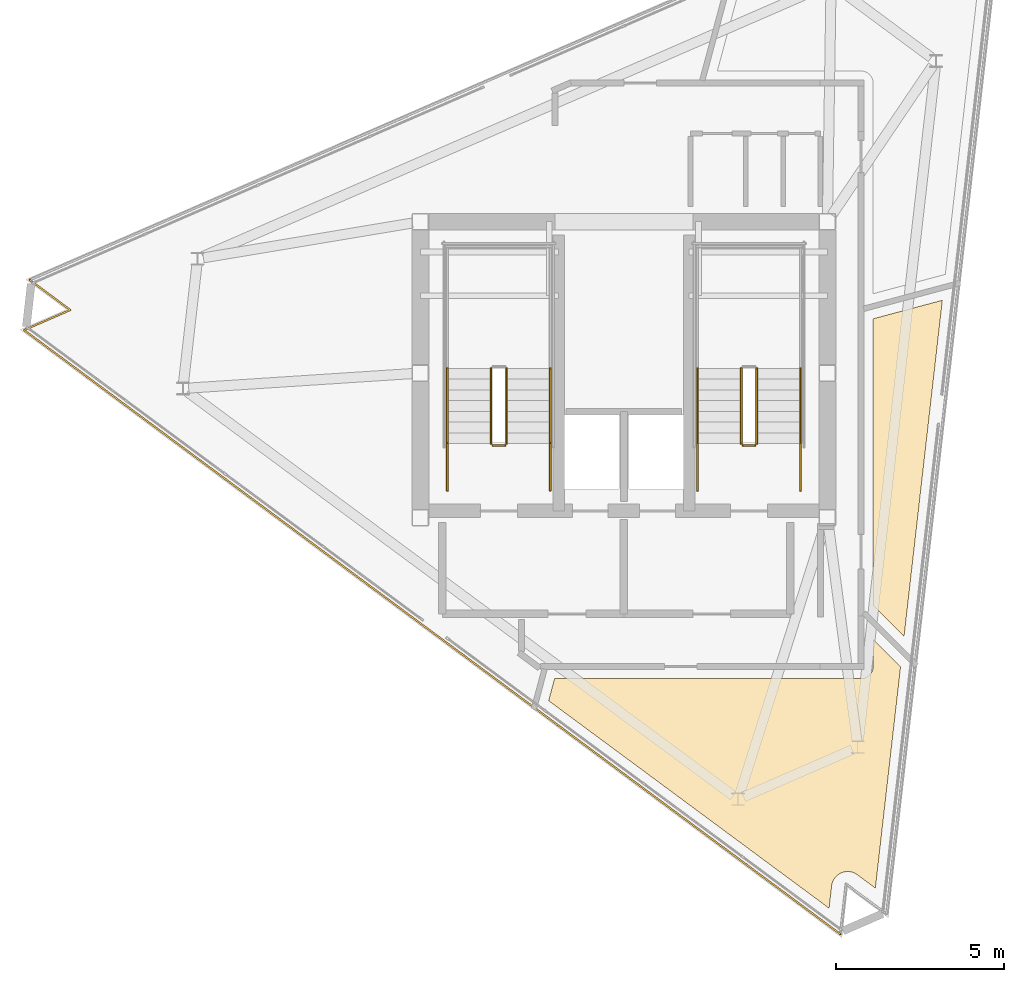
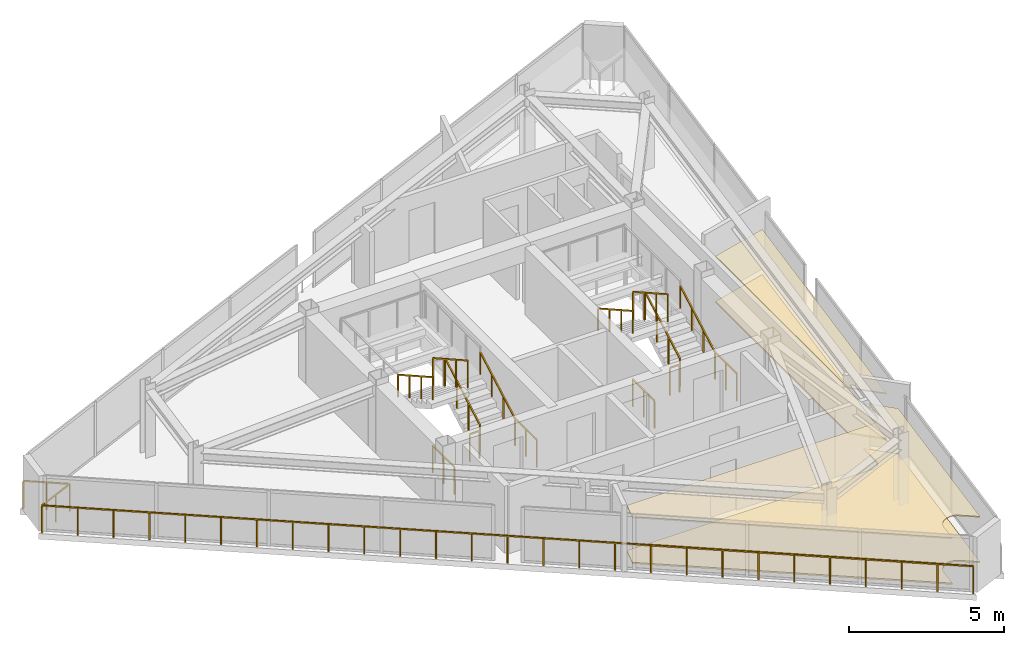
# One storey, part 8 of 9: 15 railings, 4 coverings.
"""IFC4 building model written with IfcOpenShell, lengths in metres."""

from ifc_helpers import new_model, si_unit, direction, frame, origin, origin_2d, place, context, subcontext, project, spatial, polyline, rectangle, outline, extrude, material, layer, layer_set, type_object, element, save


model = new_model("IFC4")

# Units and contexts
model_context = context("Model", 3, precision=1e-05, world=origin(), true_north=direction((0.0, 1.0)))
body_context = subcontext(model_context, "Body", "Model", "MODEL_VIEW")
ifc_project = project(units=[si_unit("LENGTHUNIT", "METRE"), si_unit("AREAUNIT", "SQUARE_METRE"), si_unit("VOLUMEUNIT", "CUBIC_METRE"), si_unit("PLANEANGLEUNIT", "RADIAN"), si_unit("MASSUNIT", "GRAM", prefix="KILO")], contexts=[model_context])

# Site, building, storey
site_placement = place(None, origin())
site = spatial("IfcSite", under=ifc_project, at=site_placement, CompositionType="ELEMENT")
building_placement = place(site_placement, origin())
building = spatial("IfcBuilding", under=site, at=building_placement, Name="Rocaltana Carrier Exchange", CompositionType="ELEMENT")
storey_placement = place(building_placement, frame((0.0, 0.0, 243.360107421875)))
storey = spatial("IfcBuildingStorey", under=building, at=storey_placement, Name="L77", CompositionType="ELEMENT", Elevation=243.360107421875)

# Coverings
ifc_material_1 = material(Name="Calcium Sulphate & Aluminium Pedestal", Category="aluminium")
ifc_layer_1 = layer(ifc_material_1, 0.06005859375)
ifc_layer_set_1 = layer_set([ifc_layer_1], Name="Calcium Sulphate & Aluminium Pedestal")
covering_type_1 = type_object("IfcCoveringType", Name="Anti-Static Raised Exchange Access Floor 60", PredefinedType="FLOORING", material=ifc_layer_set_1)
covering_1_placement = place(storey_placement, origin())
element("IfcCovering", 1, at=covering_1_placement, inside=storey, type_object=covering_type_1, Name="L77 Cloud Architecture Office Finish Floor", PredefinedType="FLOORING", context=body_context, shape_type="SweptSolid", body=[
    extrude(outline(polyline([(7.476318359375, -15.3134765625), (6.938720703125, -14.915771484375), (6.927490234375, -14.90771484375), (6.910888671875, -14.896484375), (6.88671875, -14.88232421875), (6.869140625, -14.873046875), (6.843994140625, -14.861083984375), (6.825439453125, -14.853515625), (6.799072265625, -14.84423828125), (6.780029296875, -14.838623046875), (6.7529296875, -14.83203125), (6.7333984375, -14.828369140625), (6.70556640625, -14.824462890625), (6.685791015625, -14.82275390625), (6.657958984375, -14.82177734375), (6.637939453125, -14.822021484375), (6.610107421875, -14.823486328125), (6.59033203125, -14.82568359375), (6.562744140625, -14.830322265625), (6.543212890625, -14.83447265625), (6.516357421875, -14.841552734375), (6.497314453125, -14.84765625), (6.47119140625, -14.857666015625), (6.452880859375, -14.865478515625), (6.427734375, -14.8779296875), (6.410400390625, -14.8876953125), (6.38671875, -14.902587890625), (6.370361328125, -14.913818359375), (6.348388671875, -14.930908203125), (6.333251953125, -14.944091796875), (6.31298828125, -14.963134765625), (6.29931640625, -14.9775390625), (6.281005859375, -14.998779296875), (6.268798828125, -15.014404296875), (6.252685546875, -15.037353515625), (6.2421875, -15.05419921875), (6.228515625, -15.07861328125), (6.219482421875, -15.096435546875), (6.208251953125, -15.121826171875), (6.201171875, -15.140625), (6.192626953125, -15.1669921875), (6.1875, -15.186279296875), (6.181640625, -15.213623046875), (6.17822265625, -15.2333984375), (6.176513671875, -15.247314453125), (6.1005859375, -15.91162109375), (-2.237548828125, -9.74169921875), (-2.060302734375, -9.080078125), (7.050048828125, -9.080078125), (7.063720703125, -9.07958984375), (7.071533203125, -9.079345703125), (7.098876953125, -9.07666015625), (7.106689453125, -9.075439453125), (7.133544921875, -9.070068359375), (7.141357421875, -9.068115234375), (7.16748046875, -9.060302734375), (7.1748046875, -9.0576171875), (7.2001953125, -9.047119140625), (7.20751953125, -9.043701171875), (7.231689453125, -9.03076171875), (7.23828125, -9.026611328125), (7.26123046875, -9.011474609375), (7.267578125, -9.006591796875), (7.288818359375, -8.9892578125), (7.294677734375, -8.98388671875), (7.31396484375, -8.964599609375), (7.3193359375, -8.958740234375), (7.336669921875, -8.9375), (7.34130859375, -8.93115234375), (7.356689453125, -8.908447265625), (7.360595703125, -8.901611328125), (7.373779296875, -8.87744140625), (7.376953125, -8.870361328125), (7.387451171875, -8.844970703125), (7.39013671875, -8.837646484375), (7.398193359375, -8.811279296875), (7.400146484375, -8.8037109375), (7.405517578125, -8.776611328125), (7.406494140625, -8.768798828125), (7.4091796875, -8.74169921875), (7.40966796875, -8.733642578125), (7.409912109375, -8.719970703125), (7.409912109375, -7.919189453125), (8.225830078125, -8.73486328125), (7.476318359375, -15.3134765625)])), origin(), (0.0, 0.0, 1.0), 0.059814453125),
])
covering_2_placement = place(storey_placement, origin())
element("IfcCovering", 2, at=covering_2_placement, inside=storey, type_object=covering_type_1, Name="L77 Optical Switching Laboratory Finish Floor", PredefinedType="FLOORING", context=body_context, shape_type="SweptSolid", body=[
    extrude(outline(polyline([(8.330078125, -7.82080078125), (7.409912109375, -6.90087890625), (7.409912109375, 1.61279296875), (9.467529296875, 2.1640625), (8.330078125, -7.82080078125)])), origin(), (0.0, 0.0, 1.0), 0.059814453125),
])
ifc_material_2 = material(Name="Mineral Fibre & Powder-Coated Aluminium", Category="aluminium")
ifc_layer_2 = layer(ifc_material_2, 0.044921875)
ifc_layer_set_2 = layer_set([ifc_layer_2], Name="Mineral Fibre & Powder-Coated Aluminium")
covering_type_2 = type_object("IfcCoveringType", Name="Micro-Perforated Acoustic Ceiling 45", PredefinedType="CEILING", material=ifc_layer_set_2)
covering_3_placement = place(storey_placement, frame((0.0, 0.0, 1.79296875)))
element("IfcCovering", 3, at=covering_3_placement, inside=storey, type_object=covering_type_2, Name="L77 Cloud Architecture Office Acoustic Ceiling", PredefinedType="CEILING", context=body_context, shape_type="SweptSolid", body=[
    extrude(outline(polyline([(7.476318359375, -15.3134765625), (6.938720703125, -14.915771484375), (6.927490234375, -14.90771484375), (6.910888671875, -14.896484375), (6.88671875, -14.88232421875), (6.869140625, -14.873046875), (6.843994140625, -14.861083984375), (6.825439453125, -14.853515625), (6.799072265625, -14.84423828125), (6.780029296875, -14.838623046875), (6.7529296875, -14.83203125), (6.7333984375, -14.828369140625), (6.70556640625, -14.824462890625), (6.685791015625, -14.82275390625), (6.657958984375, -14.82177734375), (6.637939453125, -14.822021484375), (6.610107421875, -14.823486328125), (6.59033203125, -14.82568359375), (6.562744140625, -14.830322265625), (6.543212890625, -14.83447265625), (6.516357421875, -14.841552734375), (6.497314453125, -14.84765625), (6.47119140625, -14.857666015625), (6.452880859375, -14.865478515625), (6.427734375, -14.8779296875), (6.410400390625, -14.8876953125), (6.38671875, -14.902587890625), (6.370361328125, -14.913818359375), (6.348388671875, -14.930908203125), (6.333251953125, -14.944091796875), (6.31298828125, -14.963134765625), (6.29931640625, -14.9775390625), (6.281005859375, -14.998779296875), (6.268798828125, -15.014404296875), (6.252685546875, -15.037353515625), (6.2421875, -15.05419921875), (6.228515625, -15.07861328125), (6.219482421875, -15.096435546875), (6.208251953125, -15.121826171875), (6.201171875, -15.140625), (6.192626953125, -15.1669921875), (6.1875, -15.186279296875), (6.181640625, -15.213623046875), (6.17822265625, -15.2333984375), (6.176513671875, -15.247314453125), (6.1005859375, -15.91162109375), (-2.237548828125, -9.74169921875), (-2.060302734375, -9.080078125), (7.050048828125, -9.080078125), (7.063720703125, -9.07958984375), (7.071533203125, -9.079345703125), (7.098876953125, -9.07666015625), (7.106689453125, -9.075439453125), (7.133544921875, -9.070068359375), (7.141357421875, -9.068115234375), (7.16748046875, -9.060302734375), (7.1748046875, -9.0576171875), (7.2001953125, -9.047119140625), (7.20751953125, -9.043701171875), (7.231689453125, -9.03076171875), (7.23828125, -9.026611328125), (7.26123046875, -9.011474609375), (7.267578125, -9.006591796875), (7.288818359375, -8.9892578125), (7.294677734375, -8.98388671875), (7.31396484375, -8.964599609375), (7.3193359375, -8.958740234375), (7.336669921875, -8.9375), (7.34130859375, -8.93115234375), (7.356689453125, -8.908447265625), (7.360595703125, -8.901611328125), (7.373779296875, -8.87744140625), (7.376953125, -8.870361328125), (7.387451171875, -8.844970703125), (7.39013671875, -8.837646484375), (7.398193359375, -8.811279296875), (7.400146484375, -8.8037109375), (7.405517578125, -8.776611328125), (7.406494140625, -8.768798828125), (7.4091796875, -8.74169921875), (7.40966796875, -8.733642578125), (7.409912109375, -8.719970703125), (7.409912109375, -7.919189453125), (8.225830078125, -8.73486328125), (7.476318359375, -15.3134765625)])), origin(), (0.0, 0.0, 1.0), 0.044921875),
])
covering_4_placement = place(storey_placement, frame((0.0, 0.0, 1.79296875)))
element("IfcCovering", 4, at=covering_4_placement, inside=storey, type_object=covering_type_2, Name="L77 Optical Switching Laboratory Acoustic Ceiling", PredefinedType="CEILING", context=body_context, shape_type="SweptSolid", body=[
    extrude(outline(polyline([(8.330078125, -7.82080078125), (7.409912109375, -6.90087890625), (7.409912109375, 1.61279296875), (9.467529296875, 2.1640625), (8.330078125, -7.82080078125)])), origin(), (0.0, 0.0, 1.0), 0.044921875),
])

# Railings
ifc_material_3 = material(Name="Brushed Architectural Stainless Tube", Category="steel")
ifc_layer_3 = layer(ifc_material_3, 0.048095703125)
ifc_layer_set_3 = layer_set([ifc_layer_3], Name="Brushed Architectural Stainless Tube")
railing_type_1 = type_object("IfcRailingType", Name="Stair Wall Handrail 920", PredefinedType="HANDRAIL", material=ifc_layer_set_3)
railing_1_placement = place(storey_placement, frame((-2.18994140625, -2.10009765625, 0.179931640625)))
element("IfcRailing", 5, at=railing_1_placement, inside=storey, type_object=railing_type_1, Name="L77 ST-1 stair handrail 1", PredefinedType="HANDRAIL", context=body_context, shape_type="SweptSolid", body=[
    extrude(rectangle(XDim=0.048095703125, YDim=0.048095703125, at=origin_2d()), frame((0.0, 0.0, 0.8759765625), z_axis=(0.0, 0.871573000172, 0.490265749743), x_axis=(-1.0, 0.0, 0.0)), (0.0, 0.0, 1.0), 2.570068359375),
    extrude(rectangle(XDim=0.0419921875, YDim=0.0419921875, at=origin_2d()), origin(), (0.0, 0.0, 1.0), 0.851806640625),
    extrude(rectangle(XDim=0.0419921875, YDim=0.0419921875, at=origin_2d()), frame((0.0, 0.74658203125, 0.419921875)), (0.0, 0.0, 1.0), 0.851806640625),
    extrude(rectangle(XDim=0.0419921875, YDim=0.0419921875, at=origin_2d()), frame((0.0, 1.493408203125, 0.840087890625)), (0.0, 0.0, 1.0), 0.851806640625),
    extrude(rectangle(XDim=0.0419921875, YDim=0.0419921875, at=origin_2d()), frame((0.0, 2.239990234375, 1.260009765625)), (0.0, 0.0, 1.0), 0.851806640625),
])
railing_2_placement = place(storey_placement, frame((-5.25, 0.139892578125, 1.619873046875)))
element("IfcRailing", 6, at=railing_2_placement, inside=storey, type_object=railing_type_1, Name="L77 ST-1 stair handrail 2", PredefinedType="HANDRAIL", context=body_context, shape_type="SweptSolid", body=[
    extrude(rectangle(XDim=0.048095703125, YDim=0.048095703125, at=origin_2d()), frame((0.0, 0.0, 0.8759765625), z_axis=(0.0, -0.871573000172, 0.490265749743), x_axis=(1.0, 0.0, 0.0)), (0.0, 0.0, 1.0), 2.570068359375),
    extrude(rectangle(XDim=0.0419921875, YDim=0.0419921875, at=origin_2d()), origin(), (0.0, 0.0, 1.0), 0.851806640625),
    extrude(rectangle(XDim=0.0419921875, YDim=0.0419921875, at=origin_2d()), frame((0.0, -0.74658203125, 0.419921875)), (0.0, 0.0, 1.0), 0.851806640625),
    extrude(rectangle(XDim=0.0419921875, YDim=0.0419921875, at=origin_2d()), frame((0.0, -1.493408203125, 0.840087890625)), (0.0, 0.0, 1.0), 0.851806640625),
    extrude(rectangle(XDim=0.0419921875, YDim=0.0419921875, at=origin_2d()), frame((0.0, -2.239990234375, 1.260009765625)), (0.0, 0.0, 1.0), 0.851806640625),
])
railing_3_placement = place(storey_placement, frame((5.25, -2.10009765625, 0.179931640625)))
element("IfcRailing", 7, at=railing_3_placement, inside=storey, type_object=railing_type_1, Name="L77 ST-2 stair handrail 1", PredefinedType="HANDRAIL", context=body_context, shape_type="SweptSolid", body=[
    extrude(rectangle(XDim=0.048095703125, YDim=0.048095703125, at=origin_2d()), frame((0.0, 0.0, 0.8759765625), z_axis=(0.0, 0.871573000172, 0.490265749743), x_axis=(-1.0, 0.0, 0.0)), (0.0, 0.0, 1.0), 2.570068359375),
    extrude(rectangle(XDim=0.0419921875, YDim=0.0419921875, at=origin_2d()), origin(), (0.0, 0.0, 1.0), 0.851806640625),
    extrude(rectangle(XDim=0.0419921875, YDim=0.0419921875, at=origin_2d()), frame((0.0, 0.74658203125, 0.419921875)), (0.0, 0.0, 1.0), 0.851806640625),
    extrude(rectangle(XDim=0.0419921875, YDim=0.0419921875, at=origin_2d()), frame((0.0, 1.493408203125, 0.840087890625)), (0.0, 0.0, 1.0), 0.851806640625),
    extrude(rectangle(XDim=0.0419921875, YDim=0.0419921875, at=origin_2d()), frame((0.0, 2.239990234375, 1.260009765625)), (0.0, 0.0, 1.0), 0.851806640625),
])
railing_4_placement = place(storey_placement, frame((2.18994140625, 0.139892578125, 1.619873046875)))
element("IfcRailing", 8, at=railing_4_placement, inside=storey, type_object=railing_type_1, Name="L77 ST-2 stair handrail 2", PredefinedType="HANDRAIL", context=body_context, shape_type="SweptSolid", body=[
    extrude(rectangle(XDim=0.048095703125, YDim=0.048095703125, at=origin_2d()), frame((0.0, 0.0, 0.8759765625), z_axis=(0.0, -0.871573000172, 0.490265749743), x_axis=(1.0, 0.0, 0.0)), (0.0, 0.0, 1.0), 2.570068359375),
    extrude(rectangle(XDim=0.0419921875, YDim=0.0419921875, at=origin_2d()), origin(), (0.0, 0.0, 1.0), 0.851806640625),
    extrude(rectangle(XDim=0.0419921875, YDim=0.0419921875, at=origin_2d()), frame((0.0, -0.74658203125, 0.419921875)), (0.0, 0.0, 1.0), 0.851806640625),
    extrude(rectangle(XDim=0.0419921875, YDim=0.0419921875, at=origin_2d()), frame((0.0, -1.493408203125, 0.840087890625)), (0.0, 0.0, 1.0), 0.851806640625),
    extrude(rectangle(XDim=0.0419921875, YDim=0.0419921875, at=origin_2d()), frame((0.0, -2.239990234375, 1.260009765625)), (0.0, 0.0, 1.0), 0.851806640625),
])
ifc_material_4 = material(Name="Powder-Coated Aluminium 6063-T6", Category="aluminium")
ifc_layer_4 = layer(ifc_material_4, 0.048095703125)
ifc_layer_set_4 = layer_set([ifc_layer_4], Name="Powder-Coated Aluminium 6063-T6")
railing_type_2 = type_object("IfcRailingType", Name="Stair Well Guardrail 1100", PredefinedType="GUARDRAIL", material=ifc_layer_set_4)
railing_5_placement = place(storey_placement, frame((-3.489990234375, -2.10009765625, 0.179931640625)))
element("IfcRailing", 9, at=railing_5_placement, inside=storey, type_object=railing_type_2, Name="L77 ST-1 stair guard 1", PredefinedType="GUARDRAIL", context=body_context, shape_type="SweptSolid", body=[
    extrude(rectangle(XDim=0.048095703125, YDim=0.048095703125, at=origin_2d()), frame((0.0, 0.0, 1.076171875), z_axis=(0.0, 0.871573000172, 0.490265749743), x_axis=(-1.0, 0.0, 0.0)), (0.0, 0.0, 1.0), 2.570068359375),
    extrude(rectangle(XDim=0.0419921875, YDim=0.0419921875, at=origin_2d()), origin(), (0.0, 0.0, 1.0), 1.052001953125),
    extrude(rectangle(XDim=0.0419921875, YDim=0.0419921875, at=origin_2d()), frame((0.0, 0.74658203125, 0.419921875)), (0.0, 0.0, 1.0), 1.052001953125),
    extrude(rectangle(XDim=0.0419921875, YDim=0.0419921875, at=origin_2d()), frame((0.0, 1.493408203125, 0.840087890625)), (0.0, 0.0, 1.0), 1.052001953125),
    extrude(rectangle(XDim=0.0419921875, YDim=0.0419921875, at=origin_2d()), frame((0.0, 2.239990234375, 1.260009765625)), (0.0, 0.0, 1.0), 1.052001953125),
])
railing_6_placement = place(storey_placement, frame((-3.949951171875, 0.139892578125, 1.619873046875)))
element("IfcRailing", 10, at=railing_6_placement, inside=storey, type_object=railing_type_2, Name="L77 ST-1 stair guard 6", PredefinedType="GUARDRAIL", context=body_context, shape_type="SweptSolid", body=[
    extrude(rectangle(XDim=0.048095703125, YDim=0.048095703125, at=origin_2d()), frame((0.0, 0.0, 1.076171875), z_axis=(0.0, -0.871573000172, 0.490265749743), x_axis=(1.0, 0.0, 0.0)), (0.0, 0.0, 1.0), 2.570068359375),
    extrude(rectangle(XDim=0.0419921875, YDim=0.0419921875, at=origin_2d()), origin(), (0.0, 0.0, 1.0), 1.052001953125),
    extrude(rectangle(XDim=0.0419921875, YDim=0.0419921875, at=origin_2d()), frame((0.0, -0.74658203125, 0.419921875)), (0.0, 0.0, 1.0), 1.052001953125),
    extrude(rectangle(XDim=0.0419921875, YDim=0.0419921875, at=origin_2d()), frame((0.0, -1.493408203125, 0.840087890625)), (0.0, 0.0, 1.0), 1.052001953125),
    extrude(rectangle(XDim=0.0419921875, YDim=0.0419921875, at=origin_2d()), frame((0.0, -2.239990234375, 1.260009765625)), (0.0, 0.0, 1.0), 1.052001953125),
])
railing_7_placement = place(storey_placement, frame((-3.5400390625, -2.14990234375, 0.0)))
element("IfcRailing", 11, at=railing_7_placement, inside=storey, type_object=railing_type_2, Name="L77 ST-1 stair guard 7", PredefinedType="GUARDRAIL", context=body_context, shape_type="SweptSolid", body=[
    extrude(rectangle(XDim=0.048095703125, YDim=0.048095703125, at=origin_2d()), frame((0.0, 0.0, 1.076171875), z_axis=(-1.0, 0.0, 0.0), x_axis=(0.0, -1.0, 0.0)), (0.0, 0.0, 1.0), 0.35986328125),
    extrude(rectangle(XDim=0.0419921875, YDim=0.0419921875, at=origin_2d()), origin(), (0.0, 0.0, 1.0), 1.052001953125),
    extrude(rectangle(XDim=0.0419921875, YDim=0.0419921875, at=origin_2d()), frame((-0.35986328125, 0.0, 0.0)), (0.0, 0.0, 1.0), 1.052001953125),
])
for number, where, name in (
    (12, (-2.18994140625, -3.5, 0.0), "L77 ST-1 stair guard 8"),
    (13, (-5.25, -3.5, 0.0), "L77 ST-1 stair guard 9"),
):
    element("IfcRailing", number, at=place(storey_placement, frame(where)), inside=storey, type_object=railing_type_2, Name=name, PredefinedType="GUARDRAIL", context=body_context, shape_type="SweptSolid", body=[
        extrude(rectangle(XDim=0.048095703125, YDim=0.048095703125, at=origin_2d()), frame((0.0, 0.0, 1.076171875), z_axis=(0.0, 1.0, 0.0), x_axis=(-1.0, 0.0, 0.0)), (0.0, 0.0, 1.0), 1.39990234375),
        extrude(rectangle(XDim=0.0419921875, YDim=0.0419921875, at=origin_2d()), origin(), (0.0, 0.0, 1.0), 1.052001953125),
        extrude(rectangle(XDim=0.0419921875, YDim=0.0419921875, at=origin_2d()), frame((0.0, 0.699951171875, 0.0)), (0.0, 0.0, 1.0), 1.052001953125),
        extrude(rectangle(XDim=0.0419921875, YDim=0.0419921875, at=origin_2d()), frame((0.0, 1.39990234375, 0.0)), (0.0, 0.0, 1.0), 1.052001953125),
    ])
railing_8_placement = place(storey_placement, frame((3.949951171875, -2.10009765625, 0.179931640625)))
element("IfcRailing", 14, at=railing_8_placement, inside=storey, type_object=railing_type_2, Name="L77 ST-2 stair guard 1", PredefinedType="GUARDRAIL", context=body_context, shape_type="SweptSolid", body=[
    extrude(rectangle(XDim=0.048095703125, YDim=0.048095703125, at=origin_2d()), frame((0.0, 0.0, 1.076171875), z_axis=(0.0, 0.871573000172, 0.490265749743), x_axis=(-1.0, 0.0, 0.0)), (0.0, 0.0, 1.0), 2.570068359375),
    extrude(rectangle(XDim=0.0419921875, YDim=0.0419921875, at=origin_2d()), origin(), (0.0, 0.0, 1.0), 1.052001953125),
    extrude(rectangle(XDim=0.0419921875, YDim=0.0419921875, at=origin_2d()), frame((0.0, 0.74658203125, 0.419921875)), (0.0, 0.0, 1.0), 1.052001953125),
    extrude(rectangle(XDim=0.0419921875, YDim=0.0419921875, at=origin_2d()), frame((0.0, 1.493408203125, 0.840087890625)), (0.0, 0.0, 1.0), 1.052001953125),
    extrude(rectangle(XDim=0.0419921875, YDim=0.0419921875, at=origin_2d()), frame((0.0, 2.239990234375, 1.260009765625)), (0.0, 0.0, 1.0), 1.052001953125),
])
railing_9_placement = place(storey_placement, frame((3.489990234375, 0.139892578125, 1.619873046875)))
element("IfcRailing", 15, at=railing_9_placement, inside=storey, type_object=railing_type_2, Name="L77 ST-2 stair guard 6", PredefinedType="GUARDRAIL", context=body_context, shape_type="SweptSolid", body=[
    extrude(rectangle(XDim=0.048095703125, YDim=0.048095703125, at=origin_2d()), frame((0.0, 0.0, 1.076171875), z_axis=(0.0, -0.871573000172, 0.490265749743), x_axis=(1.0, 0.0, 0.0)), (0.0, 0.0, 1.0), 2.570068359375),
    extrude(rectangle(XDim=0.0419921875, YDim=0.0419921875, at=origin_2d()), origin(), (0.0, 0.0, 1.0), 1.052001953125),
    extrude(rectangle(XDim=0.0419921875, YDim=0.0419921875, at=origin_2d()), frame((0.0, -0.74658203125, 0.419921875)), (0.0, 0.0, 1.0), 1.052001953125),
    extrude(rectangle(XDim=0.0419921875, YDim=0.0419921875, at=origin_2d()), frame((0.0, -1.493408203125, 0.840087890625)), (0.0, 0.0, 1.0), 1.052001953125),
    extrude(rectangle(XDim=0.0419921875, YDim=0.0419921875, at=origin_2d()), frame((0.0, -2.239990234375, 1.260009765625)), (0.0, 0.0, 1.0), 1.052001953125),
])
railing_10_placement = place(storey_placement, frame((3.89990234375, -2.14990234375, 0.0)))
element("IfcRailing", 16, at=railing_10_placement, inside=storey, type_object=railing_type_2, Name="L77 ST-2 stair guard 7", PredefinedType="GUARDRAIL", context=body_context, shape_type="SweptSolid", body=[
    extrude(rectangle(XDim=0.048095703125, YDim=0.048095703125, at=origin_2d()), frame((0.0, 0.0, 1.076171875), z_axis=(-1.0, 0.0, 0.0), x_axis=(0.0, -1.0, 0.0)), (0.0, 0.0, 1.0), 0.35986328125),
    extrude(rectangle(XDim=0.0419921875, YDim=0.0419921875, at=origin_2d()), origin(), (0.0, 0.0, 1.0), 1.052001953125),
    extrude(rectangle(XDim=0.0419921875, YDim=0.0419921875, at=origin_2d()), frame((-0.35986328125, 0.0, 0.0)), (0.0, 0.0, 1.0), 1.052001953125),
])
for number, where, name in (
    (17, (5.25, -3.5, 0.0), "L77 ST-2 stair guard 8"),
    (18, (2.18994140625, -3.5, 0.0), "L77 ST-2 stair guard 9"),
):
    element("IfcRailing", number, at=place(storey_placement, frame(where)), inside=storey, type_object=railing_type_2, Name=name, PredefinedType="GUARDRAIL", context=body_context, shape_type="SweptSolid", body=[
        extrude(rectangle(XDim=0.048095703125, YDim=0.048095703125, at=origin_2d()), frame((0.0, 0.0, 1.076171875), z_axis=(0.0, 1.0, 0.0), x_axis=(-1.0, 0.0, 0.0)), (0.0, 0.0, 1.0), 1.39990234375),
        extrude(rectangle(XDim=0.0419921875, YDim=0.0419921875, at=origin_2d()), origin(), (0.0, 0.0, 1.0), 1.052001953125),
        extrude(rectangle(XDim=0.0419921875, YDim=0.0419921875, at=origin_2d()), frame((0.0, 0.699951171875, 0.0)), (0.0, 0.0, 1.0), 1.052001953125),
        extrude(rectangle(XDim=0.0419921875, YDim=0.0419921875, at=origin_2d()), frame((0.0, 1.39990234375, 0.0)), (0.0, 0.0, 1.0), 1.052001953125),
    ])
ifc_material_5 = material(Name="Powder-Coated Aluminium 6063-T6", Category="aluminium")
ifc_layer_5 = layer(ifc_material_5, 0.06005859375)
ifc_layer_set_5 = layer_set([ifc_layer_5], Name="Powder-Coated Aluminium 6063-T6")
railing_type_3 = type_object("IfcRailingType", Name="Wind-Floor & Terrace Perimeter Guardrail 1100", PredefinedType="GUARDRAIL", material=ifc_layer_set_5)
railing_11_placement = place(storey_placement, frame((6.435546875, -16.681884765625, 0.0)))
element("IfcRailing", 19, at=railing_11_placement, inside=storey, type_object=railing_type_3, Name="L77 Perimeter Balcony Guardrail 1", PredefinedType="GUARDRAIL", context=body_context, shape_type="SweptSolid", body=[
    extrude(rectangle(XDim=0.048095703125, YDim=0.048095703125, at=origin_2d()), frame((0.0, 0.0, 1.076171875), z_axis=(-0.803857906216, 0.594821373703, 0.0), x_axis=(-0.594821373703, -0.803857906216, 0.0)), (0.0, 0.0, 1.0), 30.192138671875),
    extrude(rectangle(XDim=0.048095703125, YDim=0.048095703125, at=origin_2d()), frame((-24.270263671875, 17.958984375, 1.076171875), z_axis=(0.917070056253, 0.398726111414, 0.0), x_axis=(-0.398726111414, 0.917070056253, 0.0)), (0.0, 0.0, 1.0), 1.500244140625),
    extrude(rectangle(XDim=0.048095703125, YDim=0.048095703125, at=origin_2d()), frame((-22.89453125, 18.55712890625, 1.076171875), z_axis=(-0.80383100408, 0.594857728267, 0.0), x_axis=(-0.594857728267, -0.80383100408, 0.0)), (0.0, 0.0, 1.0), 1.5),
    extrude(rectangle(XDim=0.0419921875, YDim=0.0419921875, at=origin_2d()), origin(), (0.0, 0.0, 1.0), 1.052001953125),
    extrude(rectangle(XDim=0.0419921875, YDim=0.0419921875, at=origin_2d()), frame((-0.93359375, 0.690673828125, 0.0)), (0.0, 0.0, 1.0), 1.052001953125),
    extrude(rectangle(XDim=0.0419921875, YDim=0.0419921875, at=origin_2d()), frame((-1.866943359375, 1.38134765625, 0.0)), (0.0, 0.0, 1.0), 1.052001953125),
    extrude(rectangle(XDim=0.0419921875, YDim=0.0419921875, at=origin_2d()), frame((-2.80029296875, 2.072265625, 0.0)), (0.0, 0.0, 1.0), 1.052001953125),
    extrude(rectangle(XDim=0.0419921875, YDim=0.0419921875, at=origin_2d()), frame((-3.73388671875, 2.762939453125, 0.0)), (0.0, 0.0, 1.0), 1.052001953125),
    extrude(rectangle(XDim=0.0419921875, YDim=0.0419921875, at=origin_2d()), frame((-4.66748046875, 3.45361328125, 0.0)), (0.0, 0.0, 1.0), 1.052001953125),
    extrude(rectangle(XDim=0.0419921875, YDim=0.0419921875, at=origin_2d()), frame((-5.600830078125, 4.144287109375, 0.0)), (0.0, 0.0, 1.0), 1.052001953125),
    extrude(rectangle(XDim=0.0419921875, YDim=0.0419921875, at=origin_2d()), frame((-6.5341796875, 4.835205078125, 0.0)), (0.0, 0.0, 1.0), 1.052001953125),
    extrude(rectangle(XDim=0.0419921875, YDim=0.0419921875, at=origin_2d()), frame((-7.4677734375, 5.52587890625, 0.0)), (0.0, 0.0, 1.0), 1.052001953125),
    extrude(rectangle(XDim=0.0419921875, YDim=0.0419921875, at=origin_2d()), frame((-8.4013671875, 6.216552734375, 0.0)), (0.0, 0.0, 1.0), 1.052001953125),
    extrude(rectangle(XDim=0.0419921875, YDim=0.0419921875, at=origin_2d()), frame((-9.334716796875, 6.9072265625, 0.0)), (0.0, 0.0, 1.0), 1.052001953125),
    extrude(rectangle(XDim=0.0419921875, YDim=0.0419921875, at=origin_2d()), frame((-10.26806640625, 7.59814453125, 0.0)), (0.0, 0.0, 1.0), 1.052001953125),
    extrude(rectangle(XDim=0.0419921875, YDim=0.0419921875, at=origin_2d()), frame((-11.20166015625, 8.288818359375, 0.0)), (0.0, 0.0, 1.0), 1.052001953125),
    extrude(rectangle(XDim=0.0419921875, YDim=0.0419921875, at=origin_2d()), frame((-12.13525390625, 8.9794921875, 0.0)), (0.0, 0.0, 1.0), 1.052001953125),
    extrude(rectangle(XDim=0.0419921875, YDim=0.0419921875, at=origin_2d()), frame((-13.068603515625, 9.670166015625, 0.0)), (0.0, 0.0, 1.0), 1.052001953125),
    extrude(rectangle(XDim=0.0419921875, YDim=0.0419921875, at=origin_2d()), frame((-14.001953125, 10.36083984375, 0.0)), (0.0, 0.0, 1.0), 1.052001953125),
    extrude(rectangle(XDim=0.0419921875, YDim=0.0419921875, at=origin_2d()), frame((-14.935546875, 11.0517578125, 0.0)), (0.0, 0.0, 1.0), 1.052001953125),
    extrude(rectangle(XDim=0.0419921875, YDim=0.0419921875, at=origin_2d()), frame((-15.869140625, 11.742431640625, 0.0)), (0.0, 0.0, 1.0), 1.052001953125),
    extrude(rectangle(XDim=0.0419921875, YDim=0.0419921875, at=origin_2d()), frame((-16.802490234375, 12.43310546875, 0.0)), (0.0, 0.0, 1.0), 1.052001953125),
    extrude(rectangle(XDim=0.0419921875, YDim=0.0419921875, at=origin_2d()), frame((-17.73583984375, 13.123779296875, 0.0)), (0.0, 0.0, 1.0), 1.052001953125),
    extrude(rectangle(XDim=0.0419921875, YDim=0.0419921875, at=origin_2d()), frame((-18.66943359375, 13.814697265625, 0.0)), (0.0, 0.0, 1.0), 1.052001953125),
    extrude(rectangle(XDim=0.0419921875, YDim=0.0419921875, at=origin_2d()), frame((-19.60302734375, 14.50537109375, 0.0)), (0.0, 0.0, 1.0), 1.052001953125),
    extrude(rectangle(XDim=0.0419921875, YDim=0.0419921875, at=origin_2d()), frame((-20.536376953125, 15.196044921875, 0.0)), (0.0, 0.0, 1.0), 1.052001953125),
    extrude(rectangle(XDim=0.0419921875, YDim=0.0419921875, at=origin_2d()), frame((-21.4697265625, 15.88671875, 0.0)), (0.0, 0.0, 1.0), 1.052001953125),
    extrude(rectangle(XDim=0.0419921875, YDim=0.0419921875, at=origin_2d()), frame((-22.4033203125, 16.57763671875, 0.0)), (0.0, 0.0, 1.0), 1.052001953125),
    extrude(rectangle(XDim=0.0419921875, YDim=0.0419921875, at=origin_2d()), frame((-23.3369140625, 17.268310546875, 0.0)), (0.0, 0.0, 1.0), 1.052001953125),
    extrude(rectangle(XDim=0.0419921875, YDim=0.0419921875, at=origin_2d()), frame((-24.270263671875, 17.958984375, 0.0)), (0.0, 0.0, 1.0), 1.052001953125),
    extrude(rectangle(XDim=0.0419921875, YDim=0.0419921875, at=origin_2d()), frame((-23.58251953125, 18.258056640625, 0.0)), (0.0, 0.0, 1.0), 1.052001953125),
    extrude(rectangle(XDim=0.0419921875, YDim=0.0419921875, at=origin_2d()), frame((-22.89453125, 18.55712890625, 0.0)), (0.0, 0.0, 1.0), 1.052001953125),
    extrude(rectangle(XDim=0.0419921875, YDim=0.0419921875, at=origin_2d()), frame((-23.49755859375, 19.00341796875, 0.0)), (0.0, 0.0, 1.0), 1.052001953125),
    extrude(rectangle(XDim=0.0419921875, YDim=0.0419921875, at=origin_2d()), frame((-24.100341796875, 19.449462890625, 0.0)), (0.0, 0.0, 1.0), 1.052001953125),
])

save(model, "model.ifc")
